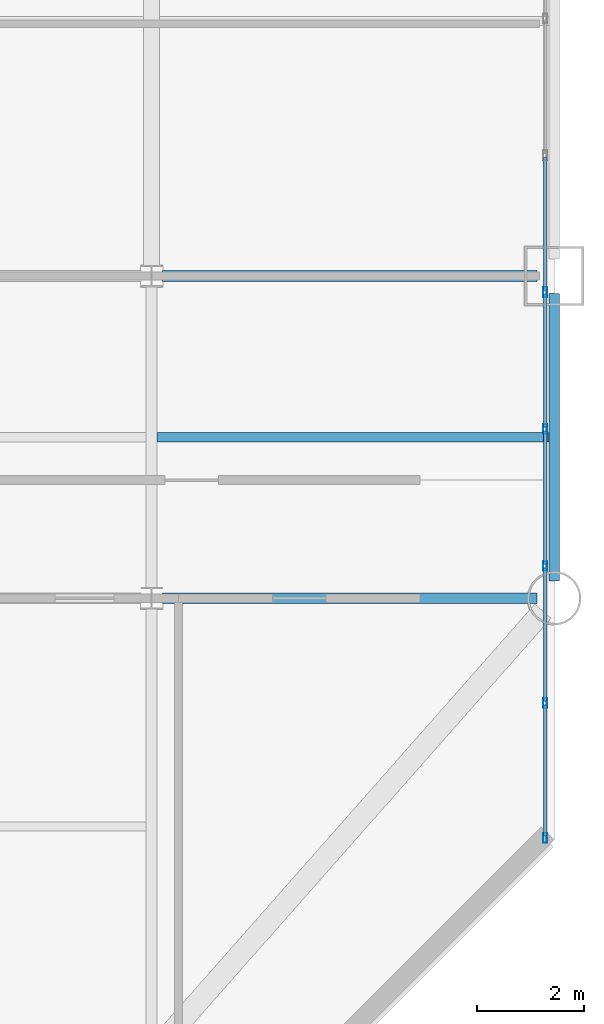
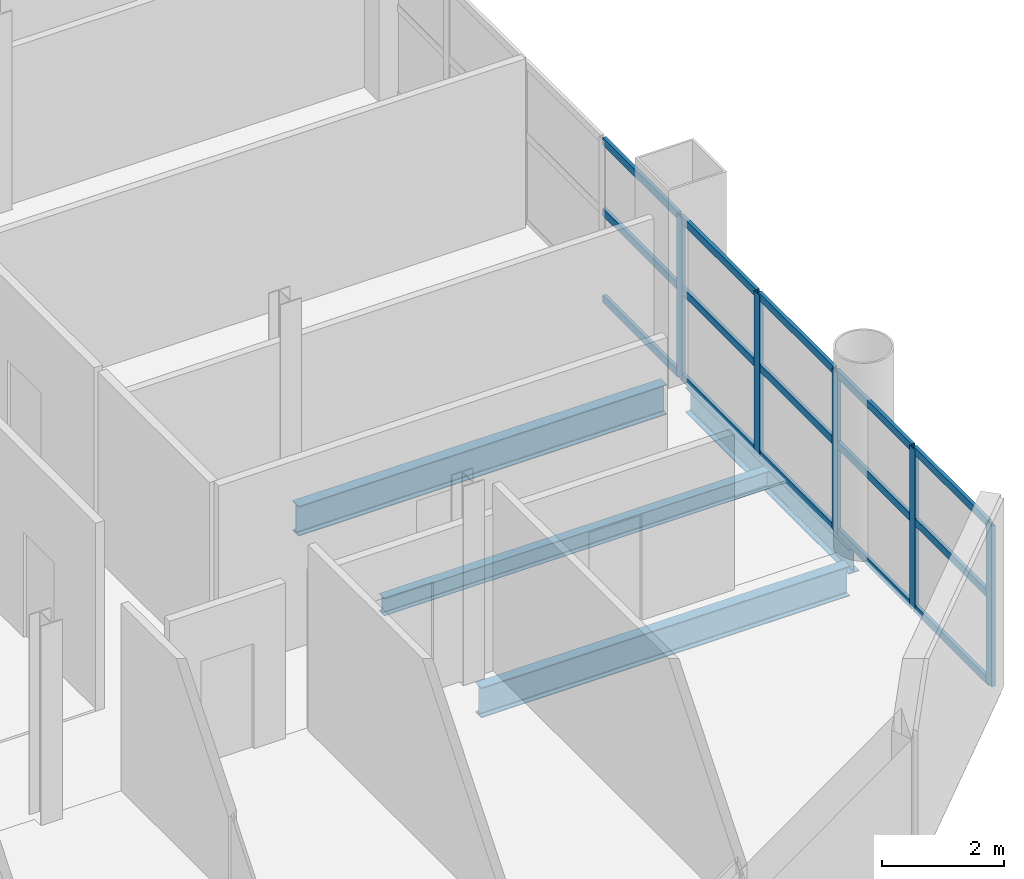
# One storey, part 5 of 16: 20 members, 4 beams, 1 element without a shape of its own.
"""IFC4 building model written with IfcOpenShell, lengths in metres."""

import ifcopenshell
import ifcopenshell.guid

model = None  # the IFC model being written
_history = None  # IfcOwnerHistory: only IFC2X3 demands one
_inside = {}  # id of a spatial element -> (the spatial element, [elements in it])
_under = {}  # id of a project, library or spatial element -> (it, [spatial elements below it])
_declared = {}  # id of a project -> (the project, [libraries it declares])
_typed = {}  # id of a type object -> (the type object, [elements of that type])
_made_of = {}  # id of a material, layer set ... -> (it, [elements and type objects made of it])


def new_model(schema):
    """Start an empty IFC model of exactly this schema.

    Asked for "IFC4X3", IfcOpenShell would pick the latest addendum, in which some entities
    have other attributes; the version numbers below select the first issue.
    IFC2X3 requires an IfcOwnerHistory on every rooted entity: one is made here for all.
    """
    global model, _history
    if schema == "IFC4X3":
        model = ifcopenshell.file(schema_version=(4, 3, 0, 0))
    else:
        model = ifcopenshell.file(schema=schema)
    _inside.clear()
    _under.clear()
    _declared.clear()
    _typed.clear()
    _made_of.clear()
    _history = None
    if model.schema == "IFC2X3":
        org = make("IfcOrganization", Name="unknown")
        user = make(
            "IfcPersonAndOrganization",
            ThePerson=make("IfcPerson", FamilyName="unknown"),
            TheOrganization=org,
        )
        app = make(
            "IfcApplication",
            ApplicationDeveloper=org,
            Version="unknown",
            ApplicationFullName="unknown",
            ApplicationIdentifier="unknown",
        )
        _history = make(
            "IfcOwnerHistory",
            OwningUser=user,
            OwningApplication=app,
            ChangeAction="ADDED",
            CreationDate=0,
        )
    return model


def make(cls, **values):
    """One entity of the class cls with the attributes given. An attribute that is None is left unset."""
    return model.create_entity(
        cls, **{name: value for name, value in values.items() if value is not None}
    )


def rooted(cls, **values):
    """An entity with a GlobalId (a new one), such as an element, a storey or a relation."""
    return make(cls, GlobalId=ifcopenshell.guid.new(), OwnerHistory=_history, **values)


def si_unit(unit_type, name, prefix=None):
    """IfcSIUnit, for example si_unit("LENGTHUNIT", "METRE", prefix="MILLI")."""
    return make("IfcSIUnit", UnitType=unit_type, Prefix=prefix, Name=name)


def assignment(units):
    """IfcUnitAssignment: the units of a project."""
    return None if units is None else make("IfcUnitAssignment", Units=units)


def point(xyz):
    """IfcCartesianPoint."""
    return None if xyz is None else make("IfcCartesianPoint", Coordinates=xyz)


def direction(xyz):
    """IfcDirection."""
    return None if xyz is None else make("IfcDirection", DirectionRatios=xyz)


def frame(location, z_axis=None, x_axis=None):
    """IfcAxis2Placement3D, a coordinate frame: its origin and axes. An axis left out is left unset."""
    return make(
        "IfcAxis2Placement3D",
        Location=point(location),
        Axis=direction(z_axis),
        RefDirection=direction(x_axis),
    )


def frame_2d(location, x_axis=None):
    """IfcAxis2Placement2D, a coordinate frame in the plane: its origin and x axis."""
    return make(
        "IfcAxis2Placement2D", Location=point(location), RefDirection=direction(x_axis)
    )


def origin():
    """The frame at (0, 0, 0) with its axes left unset."""
    return frame((0.0, 0.0, 0.0))


def origin_2d():
    """The frame at (0, 0) in the plane with its x axis left unset."""
    return frame_2d((0.0, 0.0))


def place(relative_to, where):
    """IfcLocalPlacement: puts the frame where relative to a parent placement (None: the world)."""
    return make(
        "IfcLocalPlacement", PlacementRelTo=relative_to, RelativePlacement=where
    )


def context(
    kind, dimensions, precision=None, world=None, true_north=None, identifier=None
):
    """IfcGeometricRepresentationContext, for example the 3D "Model" context."""
    return make(
        "IfcGeometricRepresentationContext",
        ContextIdentifier=identifier,
        ContextType=kind,
        CoordinateSpaceDimension=dimensions,
        Precision=precision,
        WorldCoordinateSystem=world,
        TrueNorth=true_north,
    )


def subcontext(parent, identifier, kind, view, scale=None):
    """IfcGeometricRepresentationSubContext, for example "Body" below "Model"."""
    return make(
        "IfcGeometricRepresentationSubContext",
        ContextIdentifier=identifier,
        ContextType=kind,
        ParentContext=parent,
        TargetScale=scale,
        TargetView=view,
    )


def project(units=None, contexts=None):
    """IfcProject with its units and contexts."""
    return rooted(
        "IfcProject",
        Name="project",
        RepresentationContexts=contexts,
        UnitsInContext=assignment(units),
    )


def spatial(cls, under=None, at=None, **own):
    """A site, building, storey or space (cls), placed at a placement, below another one or the project."""
    s = rooted(cls, ObjectPlacement=at, **own)
    if under is not None:
        _under.setdefault(under.id(), (under, []))[1].append(s)
    return s


def profile(cls, at=None, kind="AREA", **sizes):
    """A parametric profile (cls). Its sizes go by their IFC names, for example OverallWidth=200.0."""
    return make(cls, ProfileType=kind, Position=at, **sizes)


def hollow_rectangle(**sizes):
    """IfcRectangleHollowProfileDef."""
    return profile("IfcRectangleHollowProfileDef", **sizes)


def i_section(**sizes):
    """IfcIShapeProfileDef."""
    return profile("IfcIShapeProfileDef", **sizes)


def extrude(swept, where, along, depth):
    """IfcExtrudedAreaSolid: the profile swept, set in the frame where, extruded along a direction by depth."""
    return make(
        "IfcExtrudedAreaSolid",
        SweptArea=swept,
        Position=where,
        ExtrudedDirection=direction(along),
        Depth=depth,
    )


def shape(context_of_items, identifier, shape_type, items):
    """IfcShapeRepresentation: the items that make up one representation, for example the "Body"."""
    return make(
        "IfcShapeRepresentation",
        ContextOfItems=context_of_items,
        RepresentationIdentifier=identifier,
        RepresentationType=shape_type,
        Items=items,
    )


def material(Name=None, Category=None):
    """IfcMaterial."""
    return make("IfcMaterial", Name=Name, Category=Category)


def layer(
    of_material, thickness, ventilated=None, Name=None, Category=None, Priority=None
):
    """IfcMaterialLayer: one layer of a wall or slab, of a material (None: an air gap)."""
    return make(
        "IfcMaterialLayer",
        Material=of_material,
        LayerThickness=thickness,
        IsVentilated=ventilated,
        Name=Name,
        Category=Category,
        Priority=Priority,
    )


def layer_set(layers, Name=None):
    """IfcMaterialLayerSet."""
    return make("IfcMaterialLayerSet", MaterialLayers=layers, LayerSetName=Name)


def material_profile(
    of_material, cross_section, Name=None, Category=None, Priority=None
):
    """IfcMaterialProfile: a cross section and its material."""
    return make(
        "IfcMaterialProfile",
        Name=Name,
        Material=of_material,
        Profile=cross_section,
        Priority=Priority,
        Category=Category,
    )


def profile_set(profiles, Name=None, composite=None):
    """IfcMaterialProfileSet."""
    return make(
        "IfcMaterialProfileSet",
        Name=Name,
        MaterialProfiles=profiles,
        CompositeProfile=composite,
    )


def made_of(thing, what):
    """Note that an element or type object is made of a material, layer set ...; save() writes the relation."""
    if what is not None:
        _made_of.setdefault(what.id(), (what, []))[1].append(thing)
    return thing


def type_object(cls, material=None, **own):
    """A type object (cls), such as IfcWallType, which elements share."""
    return made_of(rooted(cls, **own), material)


def element(
    cls,
    number,
    at=None,
    inside=None,
    cuts=None,
    type_object=None,
    material=None,
    context=None,
    identifier="Body",
    shape_type=None,
    held_by="IfcProductDefinitionShape",
    body=None,
    shapes=None,
    **own,
):
    """One element of the class cls, such as IfcWall. Its Tag is "e" and its number.

    at: its placement. inside: the storey or other place that contains it. cuts: it is an
    opening in that element (IfcRelVoidsElement). A single representation is given by context,
    identifier, shape_type and body (its items); several are given by shapes. held_by: the class
    of the entity that holds the representations. save() writes the other relations.
    """
    e = rooted(cls, Tag="e%d" % number, ObjectPlacement=at, **own)
    if body is not None:
        shapes = [shape(context, identifier, shape_type, body)]
    if shapes is not None:
        e.Representation = make(held_by, Representations=shapes)
    if inside is not None:
        _inside.setdefault(inside.id(), (inside, []))[1].append(e)
    if cuts is not None:
        rooted(
            "IfcRelVoidsElement", RelatingBuildingElement=cuts, RelatedOpeningElement=e
        )
    if type_object is not None:
        _typed.setdefault(type_object.id(), (type_object, []))[1].append(e)
    return made_of(e, material)


def aggregate(whole, parts):
    """IfcRelAggregates: a whole, such as a stair, and the parts it consists of."""
    return rooted("IfcRelAggregates", RelatingObject=whole, RelatedObjects=parts)


def save(model, path):
    """Write the relations noted so far, then the file.

    IfcRelAggregates (storeys below a building ...), IfcRelContainedInSpatialStructure (elements
    in a storey), IfcRelDefinesByType, IfcRelAssociatesMaterial and IfcRelDeclares: one each for
    every whole, place, type object, material and project.
    """
    for whole, parts in _under.values():
        aggregate(whole, parts)
    for where, things in _inside.values():
        rooted(
            "IfcRelContainedInSpatialStructure",
            RelatedElements=things,
            RelatingStructure=where,
        )
    for kind, things in _typed.values():
        rooted("IfcRelDefinesByType", RelatedObjects=things, RelatingType=kind)
    for what, things in _made_of.values():
        rooted("IfcRelAssociatesMaterial", RelatedObjects=things, RelatingMaterial=what)
    for by, libraries in _declared.values():
        rooted("IfcRelDeclares", RelatingContext=by, RelatedDefinitions=libraries)
    model.write(path)


model = new_model("IFC4")

# Units and contexts
model_context = context("Model", 3, precision=1e-05, world=origin(), true_north=direction((0.0, 1.0)))
body_context = subcontext(model_context, "Body", "Model", "MODEL_VIEW")
ifc_project = project(units=[si_unit("LENGTHUNIT", "METRE"), si_unit("AREAUNIT", "SQUARE_METRE"), si_unit("VOLUMEUNIT", "CUBIC_METRE"), si_unit("PLANEANGLEUNIT", "RADIAN"), si_unit("MASSUNIT", "GRAM", prefix="KILO")], contexts=[model_context])

# Site, building, storey
site_placement = place(None, origin())
site = spatial("IfcSite", under=ifc_project, at=site_placement, CompositionType="ELEMENT")
building_placement = place(site_placement, origin())
building = spatial("IfcBuilding", under=site, at=building_placement, Name="Qianrong Seaharbour Tower", CompositionType="ELEMENT")
storey_placement = place(building_placement, frame((0.0, 0.0, 127.0)))
storey = spatial("IfcBuildingStorey", under=building, at=storey_placement, Name="L30", CompositionType="ELEMENT", Elevation=127.0)

# Beams
ifc_material_1 = material(Name="Structural steel SN490B", Category="steel")
ifc_material_profile_1 = material_profile(ifc_material_1, i_section(OverallWidth=0.199951171875, OverallDepth=0.60009765625, WebThickness=0.010986328125, FlangeThickness=0.01708984375, FilletRadius=0.02197265625, at=origin_2d()), Name="H600x200x11x17")
ifc_profile_set_1 = profile_set([ifc_material_profile_1], Name="Structural steel SN490B")
beam_type_1 = type_object("IfcBeamType", Name="BM-G-600", PredefinedType="BEAM", material=ifc_profile_set_1)
for number, where, z_axis, x_axis, name in (
    (1, (56.699951171875, 12.5, -0.534912109375), (1.0, 0.0, 0.0), (0.0, 1.0, 0.0), "L30 Primary Girder GC G8-G9"),
    (2, (56.699951171875, 18.5, -0.534912109375), (1.0, 0.0, 0.0), (0.0, 1.0, 0.0), "L30 Primary Girder GD G8-G9"),
):
    element("IfcBeam", number, at=place(storey_placement, frame(where, z_axis=z_axis, x_axis=x_axis)), inside=storey, type_object=beam_type_1, Name=name, PredefinedType="BEAM", context=body_context, shape_type="SweptSolid", body=[
        extrude(i_section(OverallWidth=0.199951171875, OverallDepth=0.60009765625, WebThickness=0.010986328125, FlangeThickness=0.01708984375, FilletRadius=0.02197265625, at=origin_2d()), origin(), (0.0, 0.0, 1.0), 6.97998046875),
    ])
ifc_material_2 = material(Name="Structural steel SN400B", Category="steel")
ifc_material_profile_2 = material_profile(ifc_material_2, i_section(OverallWidth=0.175048828125, OverallDepth=0.35009765625, WebThickness=0.007080078125, FlangeThickness=0.010986328125, FilletRadius=0.013916015625, at=origin_2d()), Name="H350x175x7x11")
ifc_profile_set_2 = profile_set([ifc_material_profile_2], Name="Structural steel SN400B")
beam_type_2 = type_object("IfcBeamType", Name="BM-J-350", PredefinedType="JOIST", material=ifc_profile_set_2)
beam_1_placement = place(storey_placement, frame((56.60009765625, 15.5, -0.409912109375), z_axis=(1.0, 0.0, 0.0), x_axis=(0.0, 1.0, 0.0)))
element("IfcBeam", 3, at=beam_1_placement, inside=storey, type_object=beam_type_2, Name="L30 Composite Floor Joist G8-G9/GC-GD", PredefinedType="JOIST", context=body_context, shape_type="SweptSolid", body=[
    extrude(i_section(OverallWidth=0.175048828125, OverallDepth=0.35009765625, WebThickness=0.007080078125, FlangeThickness=0.010986328125, FilletRadius=0.013916015625, at=origin_2d()), origin(), (0.0, 0.0, 1.0), 7.2998046875),
])
ifc_material_profile_3 = material_profile(ifc_material_1, i_section(OverallWidth=0.199951171875, OverallDepth=0.5, WebThickness=0.010009765625, FlangeThickness=0.01611328125, FilletRadius=0.02001953125, at=origin_2d()), Name="H500x200x10x16")
ifc_profile_set_3 = profile_set([ifc_material_profile_3], Name="Structural steel SN490B")
beam_type_3 = type_object("IfcBeamType", Name="BM-SP-500", PredefinedType="SPANDREL", material=ifc_profile_set_3)
beam_2_placement = place(storey_placement, frame((64.0, 12.820068359375, -0.485107421875), z_axis=(0.0, 1.0, 0.0), x_axis=(-1.0, 0.0, 0.0)))
element("IfcBeam", 4, at=beam_2_placement, inside=storey, type_object=beam_type_3, Name="L30 Spandrel Girder G9 GC-GD", PredefinedType="SPANDREL", context=body_context, shape_type="SweptSolid", body=[
    extrude(i_section(OverallWidth=0.199951171875, OverallDepth=0.5, WebThickness=0.010009765625, FlangeThickness=0.01611328125, FilletRadius=0.02001953125, at=origin_2d()), origin(), (0.0, 0.0, 1.0), 5.35986328125),
])

# Curtain wall, members
ifc_material_3 = material(Name="Anodised aluminium 6063-T6 and laminated low-e glass", Category="aluminium")
ifc_layer = layer(ifc_material_3, 0.195068359375)
ifc_layer_set = layer_set([ifc_layer], Name="Anodised aluminium 6063-T6 and laminated low-e glass")
curtain_wall_type = type_object("IfcCurtainWallType", Name="CW-SYS-3", PredefinedType="NOTDEFINED", material=ifc_layer_set)
curtain_wall_placement = place(storey_placement, origin())
curtain_wall = element("IfcCurtainWall", 5, at=curtain_wall_placement, inside=storey, type_object=curtain_wall_type, Name="L30 Sky-Garden Wintergarden Curtain Wall EAST_WING", PredefinedType="NOTDEFINED")
ifc_material_4 = material(Name="Extruded aluminium 6063-T6", Category="aluminium")
ifc_material_profile_4 = material_profile(ifc_material_4, hollow_rectangle(XDim=0.070068359375, YDim=0.179931640625, WallThickness=0.00390625, at=origin_2d()), Name="ALU-MUL-180x70x4")
ifc_profile_set_4 = profile_set([ifc_material_profile_4], Name="Extruded aluminium 6063-T6")
member_type_1 = type_object("IfcMemberType", Name="CW-MUL-180", PredefinedType="MULLION", material=ifc_profile_set_4)
member_1_placement = place(storey_placement, frame((63.830078125, 18.199951171875, 0.0), z_axis=(0.0, 0.0, 1.0), x_axis=(1.0, 0.0, 0.0)))
member_1 = element("IfcMember", 6, at=member_1_placement, type_object=member_type_1, Name="CW-3 mullion 8", PredefinedType="MULLION", context=body_context, shape_type="SweptSolid", body=[
    extrude(hollow_rectangle(XDim=0.070068359375, YDim=0.179931640625, WallThickness=0.00390625, at=origin_2d()), origin(), (0.0, 0.0, 1.0), 3.22509765625),
])
member_2_placement = place(storey_placement, frame((63.830078125, 15.64990234375, 0.0), z_axis=(0.0, 0.0, 1.0), x_axis=(1.0, 0.0, 0.0)))
member_2 = element("IfcMember", 7, at=member_2_placement, type_object=member_type_1, Name="CW-3 mullion 9", PredefinedType="MULLION", context=body_context, shape_type="SweptSolid", body=[
    extrude(hollow_rectangle(XDim=0.070068359375, YDim=0.179931640625, WallThickness=0.00390625, at=origin_2d()), origin(), (0.0, 0.0, 1.0), 3.22509765625),
])
member_3_placement = place(storey_placement, frame((63.830078125, 13.10009765625, 0.0), z_axis=(0.0, 0.0, 1.0), x_axis=(1.0, 0.0, 0.0)))
member_3 = element("IfcMember", 8, at=member_3_placement, type_object=member_type_1, Name="CW-3 mullion 10", PredefinedType="MULLION", context=body_context, shape_type="SweptSolid", body=[
    extrude(hollow_rectangle(XDim=0.070068359375, YDim=0.179931640625, WallThickness=0.00390625, at=origin_2d()), origin(), (0.0, 0.0, 1.0), 3.22509765625),
])
member_4_placement = place(storey_placement, frame((63.830078125, 10.550048828125, 0.0), z_axis=(0.0, 0.0, 1.0), x_axis=(1.0, 0.0, 0.0)))
member_4 = element("IfcMember", 9, at=member_4_placement, type_object=member_type_1, Name="CW-3 mullion 11", PredefinedType="MULLION", context=body_context, shape_type="SweptSolid", body=[
    extrude(hollow_rectangle(XDim=0.070068359375, YDim=0.179931640625, WallThickness=0.00390625, at=origin_2d()), origin(), (0.0, 0.0, 1.0), 3.22509765625),
])
member_5_placement = place(storey_placement, frame((63.830078125, 8.034912109375, 0.0), z_axis=(0.0, 0.0, 1.0), x_axis=(1.0, 0.0, 0.0)))
member_5 = element("IfcMember", 10, at=member_5_placement, type_object=member_type_1, Name="CW-3 mullion 12", PredefinedType="MULLION", context=body_context, shape_type="SweptSolid", body=[
    extrude(hollow_rectangle(XDim=0.070068359375, YDim=0.179931640625, WallThickness=0.00390625, at=origin_2d()), origin(), (0.0, 0.0, 1.0), 3.22509765625),
])
ifc_material_profile_5 = material_profile(ifc_material_4, hollow_rectangle(XDim=0.06494140625, YDim=0.14990234375, WallThickness=0.00390625, at=origin_2d()), Name="ALU-TRN-150x65x4")
ifc_profile_set_5 = profile_set([ifc_material_profile_5], Name="Extruded aluminium 6063-T6")
member_type_2 = type_object("IfcMemberType", Name="CW-TRN-150", PredefinedType="USERDEFINED", material=ifc_profile_set_5)
member_6_placement = place(storey_placement, frame((63.830078125, 20.715087890625, 0.032470703125), z_axis=(0.0, -1.0, 0.0), x_axis=(1.0, 0.0, 0.0)))
member_6 = element("IfcMember", 11, at=member_6_placement, type_object=member_type_2, Name="CW-3 transom 7.1", ObjectType="TRANSOM", PredefinedType="USERDEFINED", context=body_context, shape_type="SweptSolid", body=[
    extrude(hollow_rectangle(XDim=0.06494140625, YDim=0.14990234375, WallThickness=0.00390625, at=origin_2d()), origin(), (0.0, 0.0, 1.0), 2.47998046875),
])
member_7_placement = place(storey_placement, frame((63.830078125, 20.715087890625, 1.773681640625), z_axis=(0.0, -1.0, 0.0), x_axis=(1.0, 0.0, 0.0)))
member_7 = element("IfcMember", 12, at=member_7_placement, type_object=member_type_2, Name="CW-3 transom 7.2", ObjectType="TRANSOM", PredefinedType="USERDEFINED", context=body_context, shape_type="SweptSolid", body=[
    extrude(hollow_rectangle(XDim=0.06494140625, YDim=0.14990234375, WallThickness=0.00390625, at=origin_2d()), origin(), (0.0, 0.0, 1.0), 2.47998046875),
])
member_8_placement = place(storey_placement, frame((63.830078125, 20.715087890625, 3.1923828125), z_axis=(0.0, -1.0, 0.0), x_axis=(1.0, 0.0, 0.0)))
member_8 = element("IfcMember", 13, at=member_8_placement, type_object=member_type_2, Name="CW-3 transom 7.3", ObjectType="TRANSOM", PredefinedType="USERDEFINED", context=body_context, shape_type="SweptSolid", body=[
    extrude(hollow_rectangle(XDim=0.06494140625, YDim=0.14990234375, WallThickness=0.00390625, at=origin_2d()), origin(), (0.0, 0.0, 1.0), 2.47998046875),
])
member_9_placement = place(storey_placement, frame((63.830078125, 18.1650390625, 0.032470703125), z_axis=(0.0, -1.0, 0.0), x_axis=(1.0, 0.0, 0.0)))
member_9 = element("IfcMember", 14, at=member_9_placement, type_object=member_type_2, Name="CW-3 transom 8.1", ObjectType="TRANSOM", PredefinedType="USERDEFINED", context=body_context, shape_type="SweptSolid", body=[
    extrude(hollow_rectangle(XDim=0.06494140625, YDim=0.14990234375, WallThickness=0.00390625, at=origin_2d()), origin(), (0.0, 0.0, 1.0), 2.47998046875),
])
member_10_placement = place(storey_placement, frame((63.830078125, 18.1650390625, 1.773681640625), z_axis=(0.0, -1.0, 0.0), x_axis=(1.0, 0.0, 0.0)))
member_10 = element("IfcMember", 15, at=member_10_placement, type_object=member_type_2, Name="CW-3 transom 8.2", ObjectType="TRANSOM", PredefinedType="USERDEFINED", context=body_context, shape_type="SweptSolid", body=[
    extrude(hollow_rectangle(XDim=0.06494140625, YDim=0.14990234375, WallThickness=0.00390625, at=origin_2d()), origin(), (0.0, 0.0, 1.0), 2.47998046875),
])
member_11_placement = place(storey_placement, frame((63.830078125, 18.1650390625, 3.1923828125), z_axis=(0.0, -1.0, 0.0), x_axis=(1.0, 0.0, 0.0)))
member_11 = element("IfcMember", 16, at=member_11_placement, type_object=member_type_2, Name="CW-3 transom 8.3", ObjectType="TRANSOM", PredefinedType="USERDEFINED", context=body_context, shape_type="SweptSolid", body=[
    extrude(hollow_rectangle(XDim=0.06494140625, YDim=0.14990234375, WallThickness=0.00390625, at=origin_2d()), origin(), (0.0, 0.0, 1.0), 2.47998046875),
])
member_12_placement = place(storey_placement, frame((63.830078125, 15.614990234375, 0.032470703125), z_axis=(0.0, -1.0, 0.0), x_axis=(1.0, 0.0, 0.0)))
member_12 = element("IfcMember", 17, at=member_12_placement, type_object=member_type_2, Name="CW-3 transom 9.1", ObjectType="TRANSOM", PredefinedType="USERDEFINED", context=body_context, shape_type="SweptSolid", body=[
    extrude(hollow_rectangle(XDim=0.06494140625, YDim=0.14990234375, WallThickness=0.00390625, at=origin_2d()), origin(), (0.0, 0.0, 1.0), 2.47998046875),
])
member_13_placement = place(storey_placement, frame((63.830078125, 15.614990234375, 1.773681640625), z_axis=(0.0, -1.0, 0.0), x_axis=(1.0, 0.0, 0.0)))
member_13 = element("IfcMember", 18, at=member_13_placement, type_object=member_type_2, Name="CW-3 transom 9.2", ObjectType="TRANSOM", PredefinedType="USERDEFINED", context=body_context, shape_type="SweptSolid", body=[
    extrude(hollow_rectangle(XDim=0.06494140625, YDim=0.14990234375, WallThickness=0.00390625, at=origin_2d()), origin(), (0.0, 0.0, 1.0), 2.47998046875),
])
member_14_placement = place(storey_placement, frame((63.830078125, 15.614990234375, 3.1923828125), z_axis=(0.0, -1.0, 0.0), x_axis=(1.0, 0.0, 0.0)))
member_14 = element("IfcMember", 19, at=member_14_placement, type_object=member_type_2, Name="CW-3 transom 9.3", ObjectType="TRANSOM", PredefinedType="USERDEFINED", context=body_context, shape_type="SweptSolid", body=[
    extrude(hollow_rectangle(XDim=0.06494140625, YDim=0.14990234375, WallThickness=0.00390625, at=origin_2d()), origin(), (0.0, 0.0, 1.0), 2.47998046875),
])
member_15_placement = place(storey_placement, frame((63.830078125, 13.06494140625, 0.032470703125), z_axis=(0.0, -1.0, 0.0), x_axis=(1.0, 0.0, 0.0)))
member_15 = element("IfcMember", 20, at=member_15_placement, type_object=member_type_2, Name="CW-3 transom 10.1", ObjectType="TRANSOM", PredefinedType="USERDEFINED", context=body_context, shape_type="SweptSolid", body=[
    extrude(hollow_rectangle(XDim=0.06494140625, YDim=0.14990234375, WallThickness=0.00390625, at=origin_2d()), origin(), (0.0, 0.0, 1.0), 2.47998046875),
])
member_16_placement = place(storey_placement, frame((63.830078125, 13.06494140625, 1.773681640625), z_axis=(0.0, -1.0, 0.0), x_axis=(1.0, 0.0, 0.0)))
member_16 = element("IfcMember", 21, at=member_16_placement, type_object=member_type_2, Name="CW-3 transom 10.2", ObjectType="TRANSOM", PredefinedType="USERDEFINED", context=body_context, shape_type="SweptSolid", body=[
    extrude(hollow_rectangle(XDim=0.06494140625, YDim=0.14990234375, WallThickness=0.00390625, at=origin_2d()), origin(), (0.0, 0.0, 1.0), 2.47998046875),
])
member_17_placement = place(storey_placement, frame((63.830078125, 13.06494140625, 3.1923828125), z_axis=(0.0, -1.0, 0.0), x_axis=(1.0, 0.0, 0.0)))
member_17 = element("IfcMember", 22, at=member_17_placement, type_object=member_type_2, Name="CW-3 transom 10.3", ObjectType="TRANSOM", PredefinedType="USERDEFINED", context=body_context, shape_type="SweptSolid", body=[
    extrude(hollow_rectangle(XDim=0.06494140625, YDim=0.14990234375, WallThickness=0.00390625, at=origin_2d()), origin(), (0.0, 0.0, 1.0), 2.47998046875),
])
member_18_placement = place(storey_placement, frame((63.830078125, 10.514892578125, 0.032470703125), z_axis=(0.0, -1.0, 0.0), x_axis=(1.0, 0.0, 0.0)))
member_18 = element("IfcMember", 23, at=member_18_placement, type_object=member_type_2, Name="CW-3 transom 11.1", ObjectType="TRANSOM", PredefinedType="USERDEFINED", context=body_context, shape_type="SweptSolid", body=[
    extrude(hollow_rectangle(XDim=0.06494140625, YDim=0.14990234375, WallThickness=0.00390625, at=origin_2d()), origin(), (0.0, 0.0, 1.0), 2.44482421875),
])
member_19_placement = place(storey_placement, frame((63.830078125, 10.514892578125, 1.773681640625), z_axis=(0.0, -1.0, 0.0), x_axis=(1.0, 0.0, 0.0)))
member_19 = element("IfcMember", 24, at=member_19_placement, type_object=member_type_2, Name="CW-3 transom 11.2", ObjectType="TRANSOM", PredefinedType="USERDEFINED", context=body_context, shape_type="SweptSolid", body=[
    extrude(hollow_rectangle(XDim=0.06494140625, YDim=0.14990234375, WallThickness=0.00390625, at=origin_2d()), origin(), (0.0, 0.0, 1.0), 2.44482421875),
])
member_20_placement = place(storey_placement, frame((63.830078125, 10.514892578125, 3.1923828125), z_axis=(0.0, -1.0, 0.0), x_axis=(1.0, 0.0, 0.0)))
member_20 = element("IfcMember", 25, at=member_20_placement, type_object=member_type_2, Name="CW-3 transom 11.3", ObjectType="TRANSOM", PredefinedType="USERDEFINED", context=body_context, shape_type="SweptSolid", body=[
    extrude(hollow_rectangle(XDim=0.06494140625, YDim=0.14990234375, WallThickness=0.00390625, at=origin_2d()), origin(), (0.0, 0.0, 1.0), 2.44482421875),
])
aggregate(curtain_wall, [member_1, member_2, member_3, member_4, member_5, member_6, member_7, member_8, member_9, member_10, member_11, member_12, member_13, member_14, member_15, member_16, member_17, member_18, member_19, member_20])

save(model, "model.ifc")
